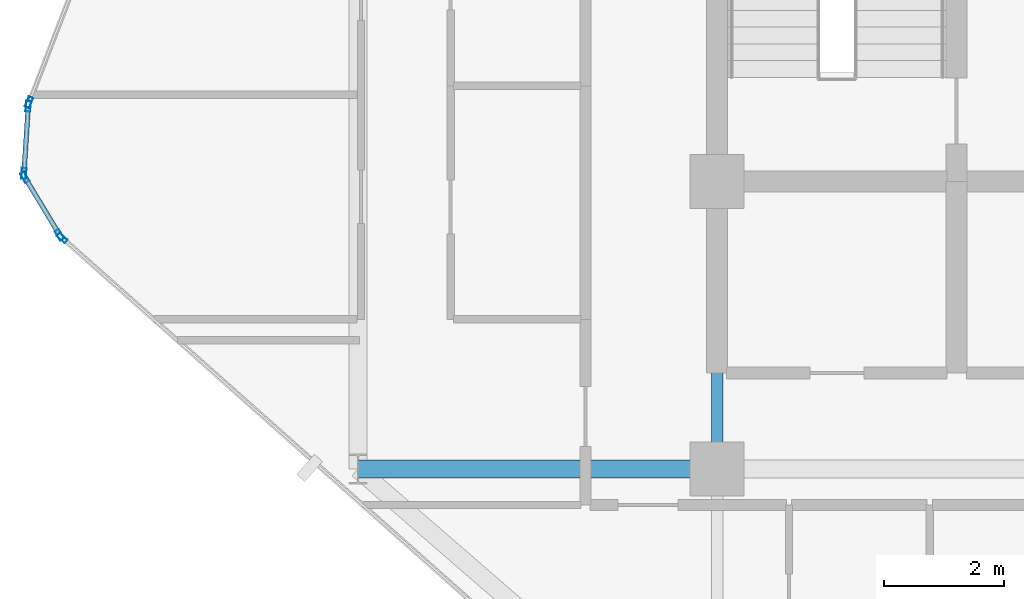
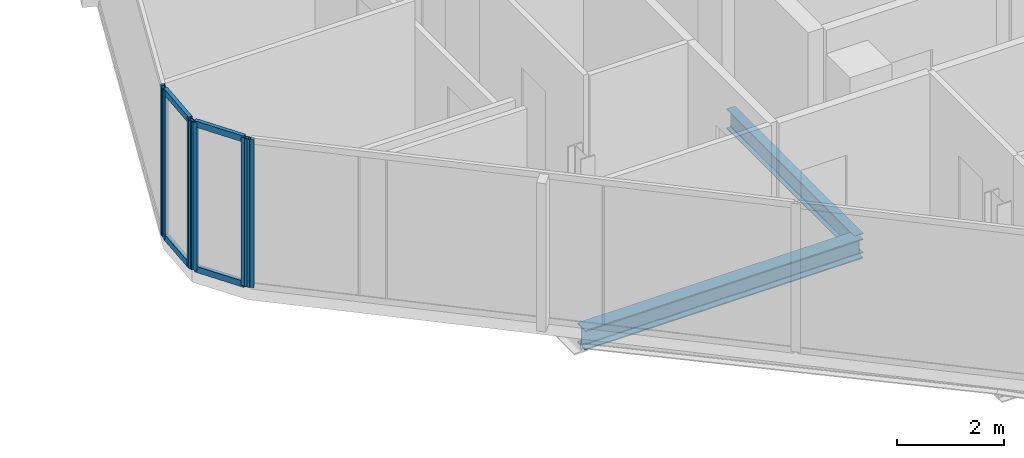
# One storey, part 7 of 31: 10 members, 2 beams, 4 elements without a shape of their own.
"""IFC4 building model written with IfcOpenShell, lengths in metres."""

from ifc_helpers import new_model, si_unit, direction, frame, origin, origin_2d, place, context, subcontext, project, spatial, hollow_rectangle, i_section, extrude, material, layer, layer_set, material_profile, profile_set, type_object, element, aggregate, save


model = new_model("IFC4")

# Units and contexts
model_context = context("Model", 3, precision=1e-05, world=origin(), true_north=direction((0.0, 1.0)))
body_context = subcontext(model_context, "Body", "Model", "MODEL_VIEW")
ifc_project = project(units=[si_unit("LENGTHUNIT", "METRE"), si_unit("AREAUNIT", "SQUARE_METRE"), si_unit("VOLUMEUNIT", "CUBIC_METRE"), si_unit("PLANEANGLEUNIT", "RADIAN"), si_unit("MASSUNIT", "GRAM", prefix="KILO")], contexts=[model_context])

# Site, building, storey
site_placement = place(None, origin())
site = spatial("IfcSite", under=ifc_project, at=site_placement, CompositionType="ELEMENT")
building_placement = place(site_placement, origin())
building = spatial("IfcBuilding", under=site, at=building_placement, Name="Keshet Zoharim Tower", CompositionType="ELEMENT")
storey_placement = place(building_placement, frame((0.0, 0.0, 148.300048828125)))
storey = spatial("IfcBuildingStorey", under=building, at=storey_placement, Name="L36", CompositionType="ELEMENT", Elevation=148.300048828125)

# Beams
ifc_material_1 = material(Name="Steel S355", Category="steel")
ifc_material_profile_1 = material_profile(ifc_material_1, i_section(OverallWidth=0.18994140625, OverallDepth=0.449951171875, WebThickness=0.009521484375, FlangeThickness=0.0146484375, FilletRadius=0.02099609375, at=origin_2d()), Name="IPE450")
ifc_profile_set_1 = profile_set([ifc_material_profile_1], Name="Steel S355")
beam_type_1 = type_object("IfcBeamType", Name="BM-PRI-IP450", PredefinedType="BEAM", material=ifc_profile_set_1)
beam_1_placement = place(storey_placement, frame((15.0, 17.89990234375, -0.5400390625), z_axis=(0.0, 1.0, 0.0), x_axis=(-1.0, 0.0, 0.0)))
element("IfcBeam", 1, at=beam_1_placement, inside=storey, type_object=beam_type_1, Name="L36 Primary Girder Y-003", PredefinedType="BEAM", context=body_context, shape_type="SweptSolid", body=[
    extrude(i_section(OverallWidth=0.18994140625, OverallDepth=0.449951171875, WebThickness=0.009521484375, FlangeThickness=0.0146484375, FilletRadius=0.02099609375, at=origin_2d()), origin(), (0.0, 0.0, 1.0), 4.800048828125),
])
ifc_material_profile_2 = material_profile(ifc_material_1, i_section(OverallWidth=0.300048828125, OverallDepth=0.449951171875, WebThickness=0.013916015625, FlangeThickness=0.02587890625, FilletRadius=0.027099609375, at=origin_2d()), Name="HEB450")
ifc_profile_set_2 = profile_set([ifc_material_profile_2], Name="Steel S355")
beam_type_2 = type_object("IfcBeamType", Name="BM-WEB-HB450", PredefinedType="BEAM", material=ifc_profile_set_2)
beam_2_placement = place(storey_placement, frame((9.0, 17.89990234375, -0.5400390625), z_axis=(1.0, 0.0, 0.0), x_axis=(0.0, 1.0, 0.0)))
element("IfcBeam", 2, at=beam_2_placement, inside=storey, type_object=beam_type_2, Name="L36 Primary Girder X-011", PredefinedType="BEAM", context=body_context, shape_type="SweptSolid", body=[
    extrude(i_section(OverallWidth=0.300048828125, OverallDepth=0.449951171875, WebThickness=0.013916015625, FlangeThickness=0.02587890625, FilletRadius=0.027099609375, at=origin_2d()), origin(), (0.0, 0.0, 1.0), 6.0),
])

# Curtain wall, member
ifc_material_2 = material(Name="Aluminium 6063-T6", Category="aluminium")
ifc_layer = layer(ifc_material_2, 0.159912109375)
ifc_layer_set = layer_set([ifc_layer], Name="Aluminium 6063-T6")
curtain_wall_type = type_object("IfcCurtainWallType", Name="CW-SYS-03", PredefinedType="NOTDEFINED", material=ifc_layer_set)
curtain_wall_1_placement = place(storey_placement, origin())
curtain_wall_1 = element("IfcCurtainWall", 3, at=curtain_wall_1_placement, inside=storey, type_object=curtain_wall_type, Name="L36 Unitised Curtain Wall 07 Part 2", PredefinedType="NOTDEFINED")
ifc_material_profile_3 = material_profile(ifc_material_2, hollow_rectangle(XDim=0.080078125, YDim=0.179931640625, WallThickness=0.00439453125, at=origin_2d()), Name="MUL-80x180")
ifc_profile_set_3 = profile_set([ifc_material_profile_3], Name="Aluminium 6063-T6")
member_type_1 = type_object("IfcMemberType", Name="CWM-M18", PredefinedType="MULLION", material=ifc_profile_set_3)
member_1_placement = place(storey_placement, frame((4.061279296875, 21.7568359375, 0.0), z_axis=(0.0, 0.0, 1.0), x_axis=(-0.664363542589, -0.747409582009, 0.0)))
member_1 = element("IfcMember", 4, at=member_1_placement, type_object=member_type_1, Name="CW-03 mullion 3", PredefinedType="MULLION", context=body_context, shape_type="SweptSolid", body=[
    extrude(hollow_rectangle(XDim=0.080078125, YDim=0.179931640625, WallThickness=0.00439453125, at=origin_2d()), origin(), (0.0, 0.0, 1.0), 3.385009765625),
])
aggregate(curtain_wall_1, [member_1])

# Curtain wall, members
curtain_wall_2_placement = place(storey_placement, origin())
curtain_wall_2 = element("IfcCurtainWall", 5, at=curtain_wall_2_placement, inside=storey, type_object=curtain_wall_type, Name="L36 Unitised Curtain Wall 08", PredefinedType="NOTDEFINED")
member_2_placement = place(storey_placement, frame((4.016845703125, 21.81005859375, 0.0), z_axis=(0.0, 0.0, 1.0), x_axis=(-0.856826433805, -0.515604947933, 0.0)))
member_2 = element("IfcMember", 6, at=member_2_placement, type_object=member_type_1, Name="CW-03 mullion 1", PredefinedType="MULLION", context=body_context, shape_type="SweptSolid", body=[
    extrude(hollow_rectangle(XDim=0.080078125, YDim=0.179931640625, WallThickness=0.00439453125, at=origin_2d()), origin(), (0.0, 0.0, 1.0), 3.385009765625),
])
member_3_placement = place(storey_placement, frame((3.43798828125, 22.77197265625, 0.0), z_axis=(0.0, 0.0, 1.0), x_axis=(-0.856826433805, -0.515604947933, 0.0)))
member_3 = element("IfcMember", 7, at=member_3_placement, type_object=member_type_1, Name="CW-03 mullion 2", PredefinedType="MULLION", context=body_context, shape_type="SweptSolid", body=[
    extrude(hollow_rectangle(XDim=0.080078125, YDim=0.179931640625, WallThickness=0.00439453125, at=origin_2d()), origin(), (0.0, 0.0, 1.0), 3.385009765625),
])

curtain_wall_3_placement = place(storey_placement, origin())
curtain_wall_3 = element("IfcCurtainWall", 8, at=curtain_wall_3_placement, inside=storey, type_object=curtain_wall_type, Name="L36 Unitised Curtain Wall 09", PredefinedType="NOTDEFINED")
member_4_placement = place(storey_placement, frame((3.42236328125, 22.8369140625, 0.0), z_axis=(0.0, 0.0, 1.0), x_axis=(-0.997916617186, 0.064516859374, 0.0)))
member_4 = element("IfcMember", 9, at=member_4_placement, type_object=member_type_1, Name="CW-03 mullion 1", PredefinedType="MULLION", context=body_context, shape_type="SweptSolid", body=[
    extrude(hollow_rectangle(XDim=0.080078125, YDim=0.179931640625, WallThickness=0.00439453125, at=origin_2d()), origin(), (0.0, 0.0, 1.0), 3.385009765625),
])
member_5_placement = place(storey_placement, frame((3.49462890625, 23.9580078125, 0.0), z_axis=(0.0, 0.0, 1.0), x_axis=(-0.997916617186, 0.064516859374, 0.0)))
member_5 = element("IfcMember", 10, at=member_5_placement, type_object=member_type_1, Name="CW-03 mullion 2", PredefinedType="MULLION", context=body_context, shape_type="SweptSolid", body=[
    extrude(hollow_rectangle(XDim=0.080078125, YDim=0.179931640625, WallThickness=0.00439453125, at=origin_2d()), origin(), (0.0, 0.0, 1.0), 3.385009765625),
])

# Curtain wall, member
curtain_wall_4_placement = place(storey_placement, origin())
curtain_wall_4 = element("IfcCurtainWall", 11, at=curtain_wall_4_placement, inside=storey, type_object=curtain_wall_type, Name="L36 Unitised Curtain Wall 10", PredefinedType="NOTDEFINED")
member_6_placement = place(storey_placement, frame((3.509521484375, 24.025634765625, 0.0), z_axis=(0.0, 0.0, 1.0), x_axis=(-0.933341404361, 0.358990003907, 0.0)))
member_6 = element("IfcMember", 12, at=member_6_placement, type_object=member_type_1, Name="CW-03 mullion 1", PredefinedType="MULLION", context=body_context, shape_type="SweptSolid", body=[
    extrude(hollow_rectangle(XDim=0.080078125, YDim=0.179931640625, WallThickness=0.00439453125, at=origin_2d()), origin(), (0.0, 0.0, 1.0), 3.385009765625),
])
aggregate(curtain_wall_4, [member_6])

# Member
ifc_material_profile_4 = material_profile(ifc_material_2, hollow_rectangle(XDim=0.080078125, YDim=0.139892578125, WallThickness=0.00390625, at=origin_2d()), Name="TRN-80x140")
ifc_profile_set_4 = profile_set([ifc_material_profile_4], Name="Aluminium 6063-T6")
member_type_2 = type_object("IfcMemberType", Name="CWT-T14", PredefinedType="USERDEFINED", material=ifc_profile_set_4)
member_7_placement = place(storey_placement, frame((3.9990234375, 21.840087890625, 0.034912109375), z_axis=(-0.515791194107, 0.856714330499, 0.0), x_axis=(-0.856714330499, -0.515791194107, 0.0)))
member_7 = element("IfcMember", 13, at=member_7_placement, type_object=member_type_2, Name="CW-03 transom 1.1", ObjectType="TRANSOM", PredefinedType="USERDEFINED", context=body_context, shape_type="SweptSolid", body=[
    extrude(hollow_rectangle(XDim=0.080078125, YDim=0.139892578125, WallThickness=0.00390625, at=origin_2d()), origin(), (0.0, 0.0, 1.0), 1.052734375),
])

member_8_placement = place(storey_placement, frame((3.9990234375, 21.840087890625, 3.349853515625), z_axis=(-0.515791194107, 0.856714330499, 0.0), x_axis=(-0.856714330499, -0.515791194107, 0.0)))
member_8 = element("IfcMember", 14, at=member_8_placement, type_object=member_type_2, Name="CW-03 transom 1.2", ObjectType="TRANSOM", PredefinedType="USERDEFINED", context=body_context, shape_type="SweptSolid", body=[
    extrude(hollow_rectangle(XDim=0.080078125, YDim=0.139892578125, WallThickness=0.00390625, at=origin_2d()), origin(), (0.0, 0.0, 1.0), 1.052734375),
])

aggregate(curtain_wall_2, [member_2, member_3, member_7, member_8])

member_9_placement = place(storey_placement, frame((3.424560546875, 22.871826171875, 0.034912109375), z_axis=(0.064426947155, 0.997922426083, 0.0), x_axis=(-0.997922426083, 0.064426947155, 0.0)))
member_9 = element("IfcMember", 15, at=member_9_placement, type_object=member_type_2, Name="CW-03 transom 1.1", ObjectType="TRANSOM", PredefinedType="USERDEFINED", context=body_context, shape_type="SweptSolid", body=[
    extrude(hollow_rectangle(XDim=0.080078125, YDim=0.139892578125, WallThickness=0.00390625, at=origin_2d()), origin(), (0.0, 0.0, 1.0), 1.053466796875),
])

member_10_placement = place(storey_placement, frame((3.424560546875, 22.871826171875, 3.349853515625), z_axis=(0.064426947155, 0.997922426083, 0.0), x_axis=(-0.997922426083, 0.064426947155, 0.0)))
member_10 = element("IfcMember", 16, at=member_10_placement, type_object=member_type_2, Name="CW-03 transom 1.2", ObjectType="TRANSOM", PredefinedType="USERDEFINED", context=body_context, shape_type="SweptSolid", body=[
    extrude(hollow_rectangle(XDim=0.080078125, YDim=0.139892578125, WallThickness=0.00390625, at=origin_2d()), origin(), (0.0, 0.0, 1.0), 1.053466796875),
])

aggregate(curtain_wall_3, [member_4, member_5, member_9, member_10])

save(model, "model.ifc")
